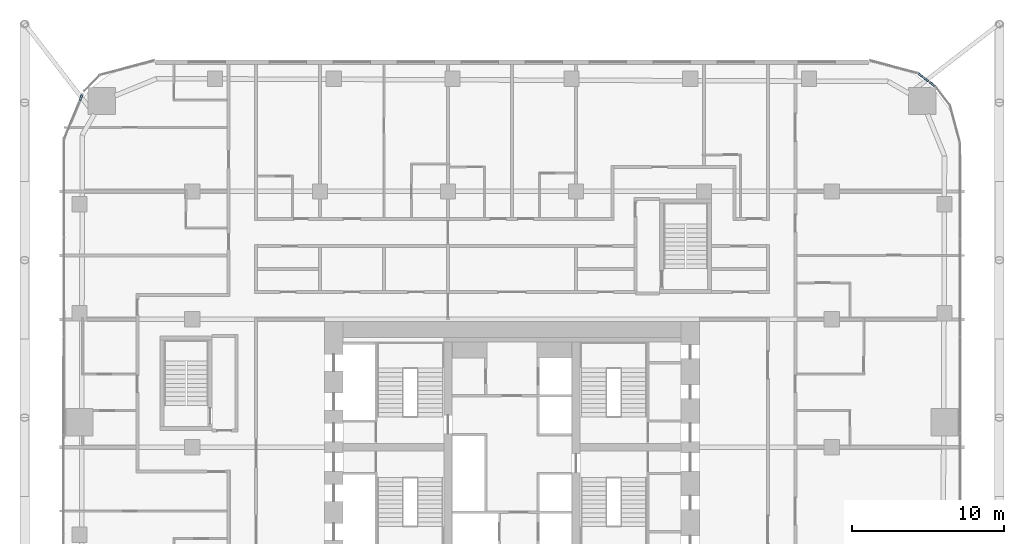
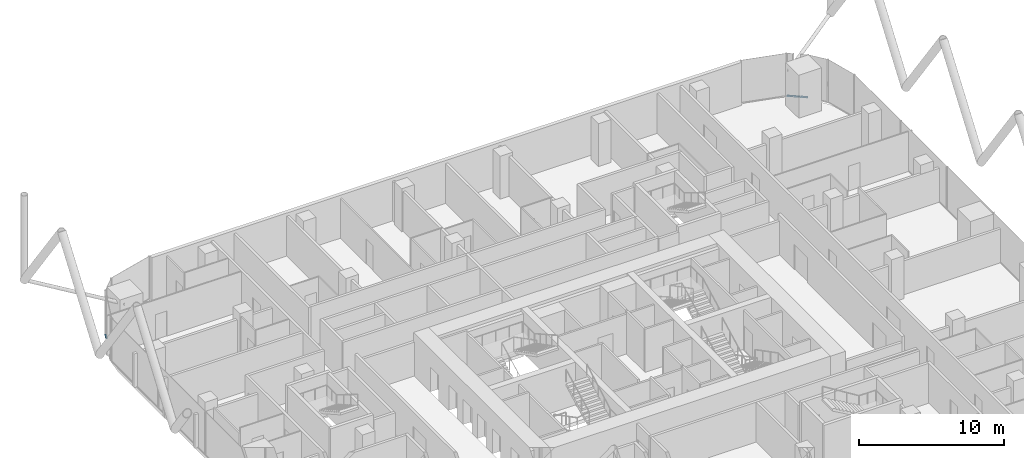
# One storey, part 17 of 34: 4 members, 4 elements without a shape of their own.
"""IFC4 building model written with IfcOpenShell, lengths in metres."""

import ifcopenshell
import ifcopenshell.guid

model = None  # the IFC model being written
_history = None  # IfcOwnerHistory: only IFC2X3 demands one
_inside = {}  # id of a spatial element -> (the spatial element, [elements in it])
_under = {}  # id of a project, library or spatial element -> (it, [spatial elements below it])
_declared = {}  # id of a project -> (the project, [libraries it declares])
_typed = {}  # id of a type object -> (the type object, [elements of that type])
_made_of = {}  # id of a material, layer set ... -> (it, [elements and type objects made of it])


def new_model(schema):
    """Start an empty IFC model of exactly this schema.

    Asked for "IFC4X3", IfcOpenShell would pick the latest addendum, in which some entities
    have other attributes; the version numbers below select the first issue.
    IFC2X3 requires an IfcOwnerHistory on every rooted entity: one is made here for all.
    """
    global model, _history
    if schema == "IFC4X3":
        model = ifcopenshell.file(schema_version=(4, 3, 0, 0))
    else:
        model = ifcopenshell.file(schema=schema)
    _inside.clear()
    _under.clear()
    _declared.clear()
    _typed.clear()
    _made_of.clear()
    _history = None
    if model.schema == "IFC2X3":
        org = make("IfcOrganization", Name="unknown")
        user = make(
            "IfcPersonAndOrganization",
            ThePerson=make("IfcPerson", FamilyName="unknown"),
            TheOrganization=org,
        )
        app = make(
            "IfcApplication",
            ApplicationDeveloper=org,
            Version="unknown",
            ApplicationFullName="unknown",
            ApplicationIdentifier="unknown",
        )
        _history = make(
            "IfcOwnerHistory",
            OwningUser=user,
            OwningApplication=app,
            ChangeAction="ADDED",
            CreationDate=0,
        )
    return model


def make(cls, **values):
    """One entity of the class cls with the attributes given. An attribute that is None is left unset."""
    return model.create_entity(
        cls, **{name: value for name, value in values.items() if value is not None}
    )


def rooted(cls, **values):
    """An entity with a GlobalId (a new one), such as an element, a storey or a relation."""
    return make(cls, GlobalId=ifcopenshell.guid.new(), OwnerHistory=_history, **values)


def si_unit(unit_type, name, prefix=None):
    """IfcSIUnit, for example si_unit("LENGTHUNIT", "METRE", prefix="MILLI")."""
    return make("IfcSIUnit", UnitType=unit_type, Prefix=prefix, Name=name)


def assignment(units):
    """IfcUnitAssignment: the units of a project."""
    return None if units is None else make("IfcUnitAssignment", Units=units)


def point(xyz):
    """IfcCartesianPoint."""
    return None if xyz is None else make("IfcCartesianPoint", Coordinates=xyz)


def direction(xyz):
    """IfcDirection."""
    return None if xyz is None else make("IfcDirection", DirectionRatios=xyz)


def frame(location, z_axis=None, x_axis=None):
    """IfcAxis2Placement3D, a coordinate frame: its origin and axes. An axis left out is left unset."""
    return make(
        "IfcAxis2Placement3D",
        Location=point(location),
        Axis=direction(z_axis),
        RefDirection=direction(x_axis),
    )


def frame_2d(location, x_axis=None):
    """IfcAxis2Placement2D, a coordinate frame in the plane: its origin and x axis."""
    return make(
        "IfcAxis2Placement2D", Location=point(location), RefDirection=direction(x_axis)
    )


def origin():
    """The frame at (0, 0, 0) with its axes left unset."""
    return frame((0.0, 0.0, 0.0))


def origin_2d():
    """The frame at (0, 0) in the plane with its x axis left unset."""
    return frame_2d((0.0, 0.0))


def place(relative_to, where):
    """IfcLocalPlacement: puts the frame where relative to a parent placement (None: the world)."""
    return make(
        "IfcLocalPlacement", PlacementRelTo=relative_to, RelativePlacement=where
    )


def context(
    kind, dimensions, precision=None, world=None, true_north=None, identifier=None
):
    """IfcGeometricRepresentationContext, for example the 3D "Model" context."""
    return make(
        "IfcGeometricRepresentationContext",
        ContextIdentifier=identifier,
        ContextType=kind,
        CoordinateSpaceDimension=dimensions,
        Precision=precision,
        WorldCoordinateSystem=world,
        TrueNorth=true_north,
    )


def subcontext(parent, identifier, kind, view, scale=None):
    """IfcGeometricRepresentationSubContext, for example "Body" below "Model"."""
    return make(
        "IfcGeometricRepresentationSubContext",
        ContextIdentifier=identifier,
        ContextType=kind,
        ParentContext=parent,
        TargetScale=scale,
        TargetView=view,
    )


def project(units=None, contexts=None):
    """IfcProject with its units and contexts."""
    return rooted(
        "IfcProject",
        Name="project",
        RepresentationContexts=contexts,
        UnitsInContext=assignment(units),
    )


def spatial(cls, under=None, at=None, **own):
    """A site, building, storey or space (cls), placed at a placement, below another one or the project."""
    s = rooted(cls, ObjectPlacement=at, **own)
    if under is not None:
        _under.setdefault(under.id(), (under, []))[1].append(s)
    return s


def profile(cls, at=None, kind="AREA", **sizes):
    """A parametric profile (cls). Its sizes go by their IFC names, for example OverallWidth=200.0."""
    return make(cls, ProfileType=kind, Position=at, **sizes)


def rectangle(**sizes):
    """IfcRectangleProfileDef."""
    return profile("IfcRectangleProfileDef", **sizes)


def extrude(swept, where, along, depth):
    """IfcExtrudedAreaSolid: the profile swept, set in the frame where, extruded along a direction by depth."""
    return make(
        "IfcExtrudedAreaSolid",
        SweptArea=swept,
        Position=where,
        ExtrudedDirection=direction(along),
        Depth=depth,
    )


def shape(context_of_items, identifier, shape_type, items):
    """IfcShapeRepresentation: the items that make up one representation, for example the "Body"."""
    return make(
        "IfcShapeRepresentation",
        ContextOfItems=context_of_items,
        RepresentationIdentifier=identifier,
        RepresentationType=shape_type,
        Items=items,
    )


def material(Name=None, Category=None):
    """IfcMaterial."""
    return make("IfcMaterial", Name=Name, Category=Category)


def layer(
    of_material, thickness, ventilated=None, Name=None, Category=None, Priority=None
):
    """IfcMaterialLayer: one layer of a wall or slab, of a material (None: an air gap)."""
    return make(
        "IfcMaterialLayer",
        Material=of_material,
        LayerThickness=thickness,
        IsVentilated=ventilated,
        Name=Name,
        Category=Category,
        Priority=Priority,
    )


def layer_set(layers, Name=None):
    """IfcMaterialLayerSet."""
    return make("IfcMaterialLayerSet", MaterialLayers=layers, LayerSetName=Name)


def material_profile(
    of_material, cross_section, Name=None, Category=None, Priority=None
):
    """IfcMaterialProfile: a cross section and its material."""
    return make(
        "IfcMaterialProfile",
        Name=Name,
        Material=of_material,
        Profile=cross_section,
        Priority=Priority,
        Category=Category,
    )


def profile_set(profiles, Name=None, composite=None):
    """IfcMaterialProfileSet."""
    return make(
        "IfcMaterialProfileSet",
        Name=Name,
        MaterialProfiles=profiles,
        CompositeProfile=composite,
    )


def made_of(thing, what):
    """Note that an element or type object is made of a material, layer set ...; save() writes the relation."""
    if what is not None:
        _made_of.setdefault(what.id(), (what, []))[1].append(thing)
    return thing


def type_object(cls, material=None, **own):
    """A type object (cls), such as IfcWallType, which elements share."""
    return made_of(rooted(cls, **own), material)


def element(
    cls,
    number,
    at=None,
    inside=None,
    cuts=None,
    type_object=None,
    material=None,
    context=None,
    identifier="Body",
    shape_type=None,
    held_by="IfcProductDefinitionShape",
    body=None,
    shapes=None,
    **own,
):
    """One element of the class cls, such as IfcWall. Its Tag is "e" and its number.

    at: its placement. inside: the storey or other place that contains it. cuts: it is an
    opening in that element (IfcRelVoidsElement). A single representation is given by context,
    identifier, shape_type and body (its items); several are given by shapes. held_by: the class
    of the entity that holds the representations. save() writes the other relations.
    """
    e = rooted(cls, Tag="e%d" % number, ObjectPlacement=at, **own)
    if body is not None:
        shapes = [shape(context, identifier, shape_type, body)]
    if shapes is not None:
        e.Representation = make(held_by, Representations=shapes)
    if inside is not None:
        _inside.setdefault(inside.id(), (inside, []))[1].append(e)
    if cuts is not None:
        rooted(
            "IfcRelVoidsElement", RelatingBuildingElement=cuts, RelatedOpeningElement=e
        )
    if type_object is not None:
        _typed.setdefault(type_object.id(), (type_object, []))[1].append(e)
    return made_of(e, material)


def aggregate(whole, parts):
    """IfcRelAggregates: a whole, such as a stair, and the parts it consists of."""
    return rooted("IfcRelAggregates", RelatingObject=whole, RelatedObjects=parts)


def save(model, path):
    """Write the relations noted so far, then the file.

    IfcRelAggregates (storeys below a building ...), IfcRelContainedInSpatialStructure (elements
    in a storey), IfcRelDefinesByType, IfcRelAssociatesMaterial and IfcRelDeclares: one each for
    every whole, place, type object, material and project.
    """
    for whole, parts in _under.values():
        aggregate(whole, parts)
    for where, things in _inside.values():
        rooted(
            "IfcRelContainedInSpatialStructure",
            RelatedElements=things,
            RelatingStructure=where,
        )
    for kind, things in _typed.values():
        rooted("IfcRelDefinesByType", RelatedObjects=things, RelatingType=kind)
    for what, things in _made_of.values():
        rooted("IfcRelAssociatesMaterial", RelatedObjects=things, RelatingMaterial=what)
    for by, libraries in _declared.values():
        rooted("IfcRelDeclares", RelatingContext=by, RelatedDefinitions=libraries)
    model.write(path)


model = new_model("IFC4")

# Units and contexts
model_context = context("Model", 3, precision=1e-05, world=origin(), true_north=direction((0.0, 1.0)))
body_context = subcontext(model_context, "Body", "Model", "MODEL_VIEW")
ifc_project = project(units=[si_unit("LENGTHUNIT", "METRE"), si_unit("AREAUNIT", "SQUARE_METRE"), si_unit("VOLUMEUNIT", "CUBIC_METRE"), si_unit("PLANEANGLEUNIT", "RADIAN"), si_unit("MASSUNIT", "GRAM", prefix="KILO")], contexts=[model_context])

# Site, building, storey
site_placement = place(None, origin())
site = spatial("IfcSite", under=ifc_project, at=site_placement, CompositionType="ELEMENT")
building_placement = place(site_placement, origin())
building = spatial("IfcBuilding", under=site, at=building_placement, Name="Marenta Gate Hotel Tower", CompositionType="ELEMENT")
storey_placement = place(building_placement, frame((0.0, 0.0, 76.10009765625)))
storey = spatial("IfcBuildingStorey", under=building, at=storey_placement, Name="L17", CompositionType="ELEMENT", Elevation=76.10009765625)

# Curtain wall, member
ifc_material_1 = material(Name="Tinted insulated glass in bronze anodised frame", Category="glass")
ifc_layer = layer(ifc_material_1, 0.1201171875)
ifc_layer_set = layer_set([ifc_layer], Name="Tinted insulated glass in bronze anodised frame")
curtain_wall_type = type_object("IfcCurtainWallType", Name="Tower unitised curtain wall CW1", PredefinedType="NOTDEFINED", material=ifc_layer_set)
curtain_wall_1_placement = place(storey_placement, origin())
curtain_wall_1 = element("IfcCurtainWall", 1, at=curtain_wall_1_placement, inside=storey, type_object=curtain_wall_type, Name="CW1 run G02", PredefinedType="NOTDEFINED")
ifc_material_2 = material(Name="Bronze anodised aluminium", Category="aluminium")
ifc_material_profile = material_profile(ifc_material_2, rectangle(XDim=0.1201171875, YDim=0.06005859375, at=origin_2d()), Name="Transom CW1 60x120 bronze anodised aluminium")
ifc_profile_set = profile_set([ifc_material_profile], Name="Bronze anodised aluminium")
member_type = type_object("IfcMemberType", Name="Transom CW1 60x120 bronze anodised aluminium", PredefinedType="USERDEFINED", material=ifc_profile_set)
member_1_placement = place(storey_placement, frame((-28.208984375, 31.5712890625, 0.02978515625), z_axis=(-0.382927081121, -0.923778572248, 0.0), x_axis=(0.923778572248, -0.382927081121, 0.0)))
member_1 = element("IfcMember", 2, at=member_1_placement, type_object=member_type, Name="CW1 transom 1.1", ObjectType="TRANSOM", PredefinedType="USERDEFINED", context=body_context, shape_type="SweptSolid", body=[
    extrude(rectangle(XDim=0.1201171875, YDim=0.06005859375, at=origin_2d()), origin(), (0.0, 0.0, 1.0), 0.462158203125),
])
aggregate(curtain_wall_1, [member_1])

curtain_wall_2_placement = place(storey_placement, origin())
curtain_wall_2 = element("IfcCurtainWall", 3, at=curtain_wall_2_placement, inside=storey, type_object=curtain_wall_type, Name="CW1 run G21", PredefinedType="NOTDEFINED")
member_2_placement = place(storey_placement, frame((27.7978515625, 32.08203125, 0.02978515625), z_axis=(-0.793224248978, 0.60892962716, 0.0), x_axis=(-0.60892962716, -0.793224248978, 0.0)))
member_2 = element("IfcMember", 4, at=member_2_placement, type_object=member_type, Name="CW1 transom 1.1", ObjectType="TRANSOM", PredefinedType="USERDEFINED", context=body_context, shape_type="SweptSolid", body=[
    extrude(rectangle(XDim=0.1201171875, YDim=0.06005859375, at=origin_2d()), origin(), (0.0, 0.0, 1.0), 0.483642578125),
])
aggregate(curtain_wall_2, [member_2])

curtain_wall_3_placement = place(storey_placement, origin())
curtain_wall_3 = element("IfcCurtainWall", 5, at=curtain_wall_3_placement, inside=storey, type_object=curtain_wall_type, Name="CW1 run G22", PredefinedType="NOTDEFINED")
member_3_placement = place(storey_placement, frame((27.36669921875, 32.412841796875, 0.02978515625), z_axis=(-0.793356294792, 0.608757578609, 0.0), x_axis=(-0.608757578609, -0.793356294792, 0.0)))
member_3 = element("IfcMember", 6, at=member_3_placement, type_object=member_type, Name="CW1 transom 1.1", ObjectType="TRANSOM", PredefinedType="USERDEFINED", context=body_context, shape_type="SweptSolid", body=[
    extrude(rectangle(XDim=0.1201171875, YDim=0.06005859375, at=origin_2d()), origin(), (0.0, 0.0, 1.0), 0.40869140625),
])
aggregate(curtain_wall_3, [member_3])

curtain_wall_4_placement = place(storey_placement, origin())
curtain_wall_4 = element("IfcCurtainWall", 7, at=curtain_wall_4_placement, inside=storey, type_object=curtain_wall_type, Name="CW1 run G23", PredefinedType="NOTDEFINED")
member_4_placement = place(storey_placement, frame((26.994873046875, 32.6982421875, 0.02978515625), z_axis=(-0.793256562422, 0.60888753163, 0.0), x_axis=(-0.60888753163, -0.793256562422, 0.0)))
member_4 = element("IfcMember", 8, at=member_4_placement, type_object=member_type, Name="CW1 transom 1.1", ObjectType="TRANSOM", PredefinedType="USERDEFINED", context=body_context, shape_type="SweptSolid", body=[
    extrude(rectangle(XDim=0.1201171875, YDim=0.06005859375, at=origin_2d()), origin(), (0.0, 0.0, 1.0), 0.415771484375),
])
aggregate(curtain_wall_4, [member_4])

save(model, "model.ifc")
